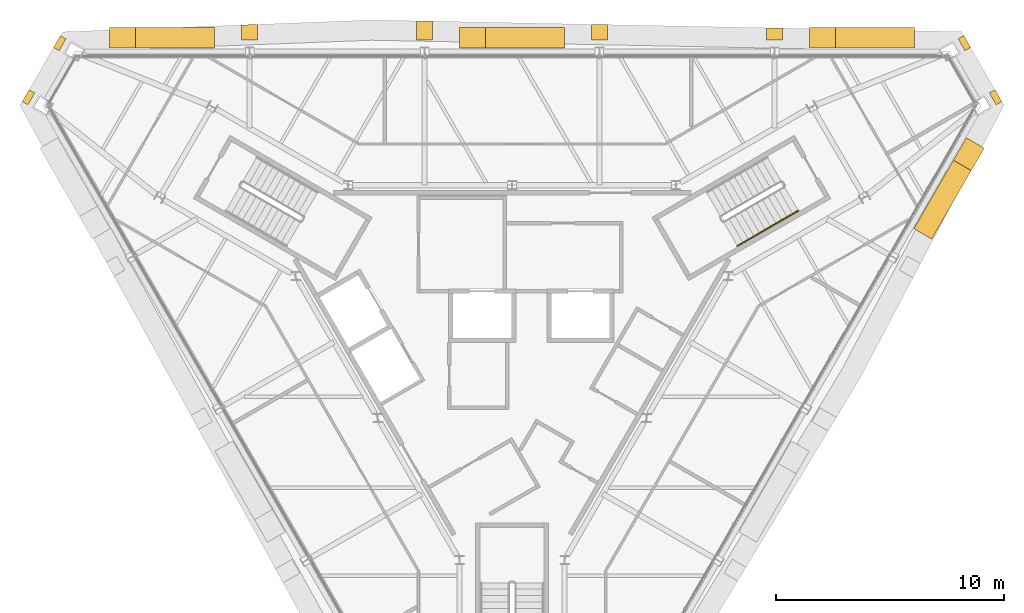
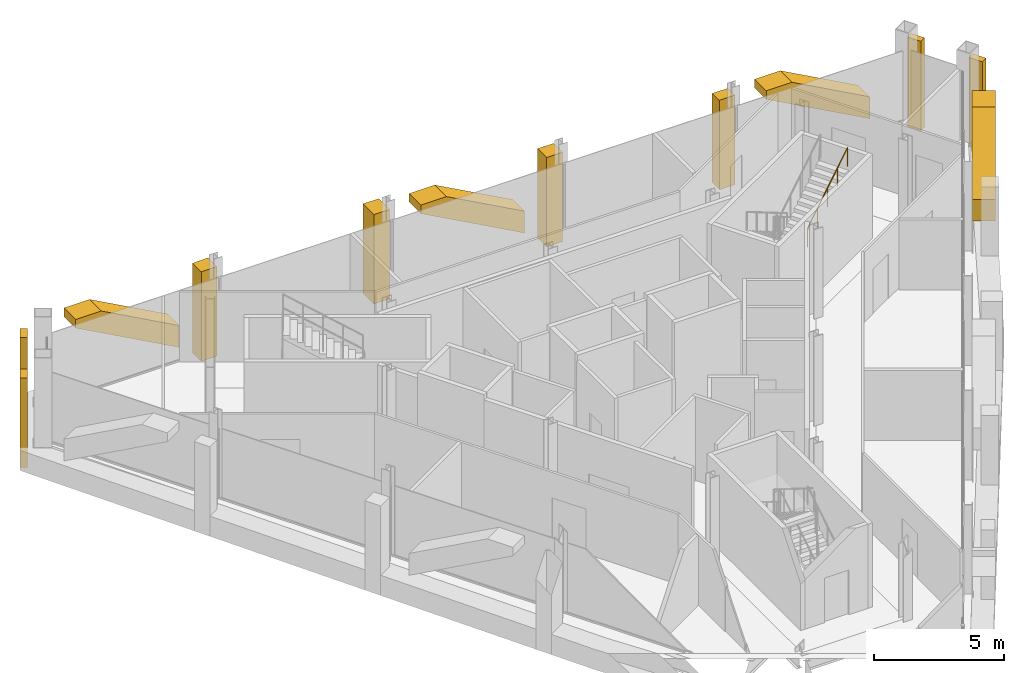
# One storey, part 13 of 13: 12 coverings, 1 railing.
"""IFC4 building model written with IfcOpenShell, lengths in metres."""

import ifcopenshell
import ifcopenshell.guid

model = None  # the IFC model being written
_history = None  # IfcOwnerHistory: only IFC2X3 demands one
_inside = {}  # id of a spatial element -> (the spatial element, [elements in it])
_under = {}  # id of a project, library or spatial element -> (it, [spatial elements below it])
_declared = {}  # id of a project -> (the project, [libraries it declares])
_typed = {}  # id of a type object -> (the type object, [elements of that type])
_made_of = {}  # id of a material, layer set ... -> (it, [elements and type objects made of it])


def new_model(schema):
    """Start an empty IFC model of exactly this schema.

    Asked for "IFC4X3", IfcOpenShell would pick the latest addendum, in which some entities
    have other attributes; the version numbers below select the first issue.
    IFC2X3 requires an IfcOwnerHistory on every rooted entity: one is made here for all.
    """
    global model, _history
    if schema == "IFC4X3":
        model = ifcopenshell.file(schema_version=(4, 3, 0, 0))
    else:
        model = ifcopenshell.file(schema=schema)
    _inside.clear()
    _under.clear()
    _declared.clear()
    _typed.clear()
    _made_of.clear()
    _history = None
    if model.schema == "IFC2X3":
        org = make("IfcOrganization", Name="unknown")
        user = make(
            "IfcPersonAndOrganization",
            ThePerson=make("IfcPerson", FamilyName="unknown"),
            TheOrganization=org,
        )
        app = make(
            "IfcApplication",
            ApplicationDeveloper=org,
            Version="unknown",
            ApplicationFullName="unknown",
            ApplicationIdentifier="unknown",
        )
        _history = make(
            "IfcOwnerHistory",
            OwningUser=user,
            OwningApplication=app,
            ChangeAction="ADDED",
            CreationDate=0,
        )
    return model


def make(cls, **values):
    """One entity of the class cls with the attributes given. An attribute that is None is left unset."""
    return model.create_entity(
        cls, **{name: value for name, value in values.items() if value is not None}
    )


def rooted(cls, **values):
    """An entity with a GlobalId (a new one), such as an element, a storey or a relation."""
    return make(cls, GlobalId=ifcopenshell.guid.new(), OwnerHistory=_history, **values)


def si_unit(unit_type, name, prefix=None):
    """IfcSIUnit, for example si_unit("LENGTHUNIT", "METRE", prefix="MILLI")."""
    return make("IfcSIUnit", UnitType=unit_type, Prefix=prefix, Name=name)


def assignment(units):
    """IfcUnitAssignment: the units of a project."""
    return None if units is None else make("IfcUnitAssignment", Units=units)


def point(xyz):
    """IfcCartesianPoint."""
    return None if xyz is None else make("IfcCartesianPoint", Coordinates=xyz)


def direction(xyz):
    """IfcDirection."""
    return None if xyz is None else make("IfcDirection", DirectionRatios=xyz)


def frame(location, z_axis=None, x_axis=None):
    """IfcAxis2Placement3D, a coordinate frame: its origin and axes. An axis left out is left unset."""
    return make(
        "IfcAxis2Placement3D",
        Location=point(location),
        Axis=direction(z_axis),
        RefDirection=direction(x_axis),
    )


def frame_2d(location, x_axis=None):
    """IfcAxis2Placement2D, a coordinate frame in the plane: its origin and x axis."""
    return make(
        "IfcAxis2Placement2D", Location=point(location), RefDirection=direction(x_axis)
    )


def origin():
    """The frame at (0, 0, 0) with its axes left unset."""
    return frame((0.0, 0.0, 0.0))


def origin_2d():
    """The frame at (0, 0) in the plane with its x axis left unset."""
    return frame_2d((0.0, 0.0))


def place(relative_to, where):
    """IfcLocalPlacement: puts the frame where relative to a parent placement (None: the world)."""
    return make(
        "IfcLocalPlacement", PlacementRelTo=relative_to, RelativePlacement=where
    )


def context(
    kind, dimensions, precision=None, world=None, true_north=None, identifier=None
):
    """IfcGeometricRepresentationContext, for example the 3D "Model" context."""
    return make(
        "IfcGeometricRepresentationContext",
        ContextIdentifier=identifier,
        ContextType=kind,
        CoordinateSpaceDimension=dimensions,
        Precision=precision,
        WorldCoordinateSystem=world,
        TrueNorth=true_north,
    )


def subcontext(parent, identifier, kind, view, scale=None):
    """IfcGeometricRepresentationSubContext, for example "Body" below "Model"."""
    return make(
        "IfcGeometricRepresentationSubContext",
        ContextIdentifier=identifier,
        ContextType=kind,
        ParentContext=parent,
        TargetScale=scale,
        TargetView=view,
    )


def project(units=None, contexts=None):
    """IfcProject with its units and contexts."""
    return rooted(
        "IfcProject",
        Name="project",
        RepresentationContexts=contexts,
        UnitsInContext=assignment(units),
    )


def spatial(cls, under=None, at=None, **own):
    """A site, building, storey or space (cls), placed at a placement, below another one or the project."""
    s = rooted(cls, ObjectPlacement=at, **own)
    if under is not None:
        _under.setdefault(under.id(), (under, []))[1].append(s)
    return s


def polyline(points):
    """IfcPolyline through the points."""
    return make("IfcPolyline", Points=[point(p) for p in points])


def profile(cls, at=None, kind="AREA", **sizes):
    """A parametric profile (cls). Its sizes go by their IFC names, for example OverallWidth=200.0."""
    return make(cls, ProfileType=kind, Position=at, **sizes)


def circle(**sizes):
    """IfcCircleProfileDef."""
    return profile("IfcCircleProfileDef", **sizes)


def outline(outer, holes=None, kind="AREA"):
    """IfcArbitraryClosedProfileDef: a profile drawn as a closed curve; with holes, ...WithVoids."""
    if holes is None:
        return make("IfcArbitraryClosedProfileDef", ProfileType=kind, OuterCurve=outer)
    return make(
        "IfcArbitraryProfileDefWithVoids",
        ProfileType=kind,
        OuterCurve=outer,
        InnerCurves=holes,
    )


def extrude(swept, where, along, depth):
    """IfcExtrudedAreaSolid: the profile swept, set in the frame where, extruded along a direction by depth."""
    return make(
        "IfcExtrudedAreaSolid",
        SweptArea=swept,
        Position=where,
        ExtrudedDirection=direction(along),
        Depth=depth,
    )


def shape(context_of_items, identifier, shape_type, items):
    """IfcShapeRepresentation: the items that make up one representation, for example the "Body"."""
    return make(
        "IfcShapeRepresentation",
        ContextOfItems=context_of_items,
        RepresentationIdentifier=identifier,
        RepresentationType=shape_type,
        Items=items,
    )


def material(Name=None, Category=None):
    """IfcMaterial."""
    return make("IfcMaterial", Name=Name, Category=Category)


def layer(
    of_material, thickness, ventilated=None, Name=None, Category=None, Priority=None
):
    """IfcMaterialLayer: one layer of a wall or slab, of a material (None: an air gap)."""
    return make(
        "IfcMaterialLayer",
        Material=of_material,
        LayerThickness=thickness,
        IsVentilated=ventilated,
        Name=Name,
        Category=Category,
        Priority=Priority,
    )


def layer_set(layers, Name=None):
    """IfcMaterialLayerSet."""
    return make("IfcMaterialLayerSet", MaterialLayers=layers, LayerSetName=Name)


def made_of(thing, what):
    """Note that an element or type object is made of a material, layer set ...; save() writes the relation."""
    if what is not None:
        _made_of.setdefault(what.id(), (what, []))[1].append(thing)
    return thing


def type_object(cls, material=None, **own):
    """A type object (cls), such as IfcWallType, which elements share."""
    return made_of(rooted(cls, **own), material)


def element(
    cls,
    number,
    at=None,
    inside=None,
    cuts=None,
    type_object=None,
    material=None,
    context=None,
    identifier="Body",
    shape_type=None,
    held_by="IfcProductDefinitionShape",
    body=None,
    shapes=None,
    **own,
):
    """One element of the class cls, such as IfcWall. Its Tag is "e" and its number.

    at: its placement. inside: the storey or other place that contains it. cuts: it is an
    opening in that element (IfcRelVoidsElement). A single representation is given by context,
    identifier, shape_type and body (its items); several are given by shapes. held_by: the class
    of the entity that holds the representations. save() writes the other relations.
    """
    e = rooted(cls, Tag="e%d" % number, ObjectPlacement=at, **own)
    if body is not None:
        shapes = [shape(context, identifier, shape_type, body)]
    if shapes is not None:
        e.Representation = make(held_by, Representations=shapes)
    if inside is not None:
        _inside.setdefault(inside.id(), (inside, []))[1].append(e)
    if cuts is not None:
        rooted(
            "IfcRelVoidsElement", RelatingBuildingElement=cuts, RelatedOpeningElement=e
        )
    if type_object is not None:
        _typed.setdefault(type_object.id(), (type_object, []))[1].append(e)
    return made_of(e, material)


def aggregate(whole, parts):
    """IfcRelAggregates: a whole, such as a stair, and the parts it consists of."""
    return rooted("IfcRelAggregates", RelatingObject=whole, RelatedObjects=parts)


def save(model, path):
    """Write the relations noted so far, then the file.

    IfcRelAggregates (storeys below a building ...), IfcRelContainedInSpatialStructure (elements
    in a storey), IfcRelDefinesByType, IfcRelAssociatesMaterial and IfcRelDeclares: one each for
    every whole, place, type object, material and project.
    """
    for whole, parts in _under.values():
        aggregate(whole, parts)
    for where, things in _inside.values():
        rooted(
            "IfcRelContainedInSpatialStructure",
            RelatedElements=things,
            RelatingStructure=where,
        )
    for kind, things in _typed.values():
        rooted("IfcRelDefinesByType", RelatedObjects=things, RelatingType=kind)
    for what, things in _made_of.values():
        rooted("IfcRelAssociatesMaterial", RelatedObjects=things, RelatingMaterial=what)
    for by, libraries in _declared.values():
        rooted("IfcRelDeclares", RelatingContext=by, RelatedDefinitions=libraries)
    model.write(path)


model = new_model("IFC4")

# Units and contexts
model_context = context("Model", 3, precision=1e-05, world=origin(), true_north=direction((0.0, 1.0)))
body_context = subcontext(model_context, "Body", "Model", "MODEL_VIEW")
ifc_project = project(units=[si_unit("LENGTHUNIT", "METRE"), si_unit("AREAUNIT", "SQUARE_METRE"), si_unit("VOLUMEUNIT", "CUBIC_METRE"), si_unit("PLANEANGLEUNIT", "RADIAN"), si_unit("MASSUNIT", "GRAM", prefix="KILO")], contexts=[model_context])

# Site, building, storey
site_placement = place(None, origin())
site = spatial("IfcSite", under=ifc_project, at=site_placement, CompositionType="ELEMENT")
building_placement = place(site_placement, origin())
building = spatial("IfcBuilding", under=site, at=building_placement, Name="Verrane Prism Tower", CompositionType="ELEMENT")
storey_placement = place(building_placement, frame((0.0, 0.0, 316.800048828125)))
storey = spatial("IfcBuildingStorey", under=building, at=storey_placement, Name="L80", CompositionType="ELEMENT", Elevation=316.800048828125)

# Railing
ifc_material_1 = material(Name="Steel A36 tube", Category="steel")
railing_type = type_object("IfcRailingType", Name="Stair handrail 900 steel tube", PredefinedType="HANDRAIL", material=ifc_material_1)
railing_placement = place(storey_placement, frame((9.872314453125, 4.140869140625, 2.27490234375)))
element("IfcRailing", 1, at=railing_placement, inside=storey, type_object=railing_type, Name="Stair 1 handrail", PredefinedType="HANDRAIL", context=body_context, shape_type="SweptSolid", body=[
    extrude(circle(Radius=0.02392578125, at=origin_2d()), frame((0.0, 0.0, 0.8759765625), z_axis=(0.734364028329, 0.424015404183, 0.530019255228), x_axis=(-0.500026652407, 0.866010015463, 0.0)), (0.0, 0.0, 1.0), 3.632080078125),
    extrude(circle(Radius=0.02099609375, at=origin_2d()), origin(), (0.0, 0.0, 1.0), 0.851806640625),
    extrude(circle(Radius=0.02099609375, at=origin_2d()), frame((0.666748046875, 0.385009765625, 0.481201171875)), (0.0, 0.0, 1.0), 0.851806640625),
    extrude(circle(Radius=0.02099609375, at=origin_2d()), frame((1.33349609375, 0.77001953125, 0.96240234375)), (0.0, 0.0, 1.0), 0.851806640625),
    extrude(circle(Radius=0.02099609375, at=origin_2d()), frame((2.00048828125, 1.155029296875, 1.44384765625)), (0.0, 0.0, 1.0), 0.851806640625),
    extrude(circle(Radius=0.02099609375, at=origin_2d()), frame((2.667236328125, 1.5400390625, 1.925048828125)), (0.0, 0.0, 1.0), 0.851806640625),
])

# Coverings
ifc_material_2 = material(Name="Warm limestone cladding", Category="masonry")
ifc_layer = layer(ifc_material_2, 0.89990234375)
ifc_layer_set = layer_set([ifc_layer], Name="Stone brace fin 900")
covering_type_1 = type_object("IfcCoveringType", Name="Stone brace fin 900", PredefinedType="CLADDING", material=ifc_layer_set)
for number, where, z_axis, x_axis, name in (
    (2, (17.638671875, 13.25, 0.326904296875), (0.0, 0.0, 1.0), (-1.0, 0.0, 0.0), "Stone brace fin N1 L80"),
    (3, (2.30078125, 13.25, 0.326904296875), (0.0, 0.0, 1.0), (-1.0, 0.0, 0.0), "Stone brace fin N3 L80"),
    (4, (-13.037109375, 13.25, 0.326904296875), (0.0, 0.0, 1.0), (-1.0, 0.0, 0.0), "Stone brace fin N5 L80"),
    (5, (17.993408203125, 4.66552734375, 0.326904296875), (0.0, 0.0, 1.0), (0.5000194552, 0.866014171028, 0.0), "Stone brace fin SE5 L80"),
):
    element("IfcCovering", number, at=place(storey_placement, frame(where, z_axis=z_axis, x_axis=x_axis)), inside=storey, type_object=covering_type_1, Name=name, PredefinedType="CLADDING", context=body_context, shape_type="SweptSolid", body=[
        extrude(outline(polyline([(4.601318359375, 2.923095703125), (3.463623046875, 2.923095703125), (0.0, 1.026123046875), (0.0, 0.0), (4.601318359375, 2.52001953125), (4.601318359375, 2.923095703125)])), frame((0.0, 0.449951171875, 0.0), z_axis=(0.0, -1.0, 0.0), x_axis=(1.0, 0.0, 0.0)), (0.0, 0.0, 1.0), 0.89990234375),
    ])
ifc_material_3 = material(Name="Warm limestone cladding", Category="masonry")
covering_type_2 = type_object("IfcCoveringType", Name="Stone corner pier 600", PredefinedType="CLADDING", material=ifc_material_3)
covering_1_placement = place(storey_placement, frame((0.0, 0.0, -0.949951171875)))
element("IfcCovering", 6, at=covering_1_placement, inside=storey, type_object=covering_type_2, Name="Stone pier MC-NE.a L80", PredefinedType="CLADDING", context=body_context, shape_type="SweptSolid", body=[
    extrude(outline(polyline([(20.910888671875, 10.838623046875), (21.06103515625, 10.578857421875), (21.2109375, 10.319091796875), (21.457763671875, 10.46142578125), (21.15771484375, 10.98095703125), (20.910888671875, 10.838623046875)])), origin(), (0.0, 0.0, 1.0), 4.199951171875),
])
covering_2_placement = place(storey_placement, frame((0.0, 0.0, -0.949951171875)))
element("IfcCovering", 7, at=covering_2_placement, inside=storey, type_object=covering_type_2, Name="Stone pier MC-NE.b L80", PredefinedType="CLADDING", context=body_context, shape_type="SweptSolid", body=[
    extrude(outline(polyline([(19.5419921875, 13.209716796875), (19.5576171875, 13.182861328125), (19.842041015625, 12.690185546875), (20.088623046875, 12.83251953125), (19.788818359375, 13.352294921875), (19.5419921875, 13.209716796875)])), origin(), (0.0, 0.0, 1.0), 4.199951171875),
])
covering_3_placement = place(storey_placement, frame((0.0, 0.0, -0.949951171875)))
element("IfcCovering", 8, at=covering_3_placement, inside=storey, type_object=covering_type_2, Name="Stone pier MC-NW.a L80", PredefinedType="CLADDING", context=body_context, shape_type="SweptSolid", body=[
    extrude(outline(polyline([(-19.842041015625, 12.690185546875), (-19.5419921875, 13.209716796875), (-19.788818359375, 13.352294921875), (-20.088623046875, 12.83251953125), (-19.842041015625, 12.690185546875)])), origin(), (0.0, 0.0, 1.0), 4.199951171875),
])
covering_4_placement = place(storey_placement, frame((0.0, 0.0, -0.949951171875)))
element("IfcCovering", 9, at=covering_4_placement, inside=storey, type_object=covering_type_2, Name="Stone pier MC-NW.b L80", PredefinedType="CLADDING", context=body_context, shape_type="SweptSolid", body=[
    extrude(outline(polyline([(-21.2109375, 10.319091796875), (-20.910888671875, 10.838623046875), (-21.15771484375, 10.98095703125), (-21.457763671875, 10.46142578125), (-21.2109375, 10.319091796875)])), origin(), (0.0, 0.0, 1.0), 4.199951171875),
])
ifc_material_4 = material(Name="Warm limestone cladding", Category="masonry")
covering_type_3 = type_object("IfcCoveringType", Name="Stone pier 700", PredefinedType="CLADDING", material=ifc_material_4)
covering_5_placement = place(storey_placement, frame((0.0, 0.0, -0.949951171875)))
element("IfcCovering", 10, at=covering_5_placement, inside=storey, type_object=covering_type_3, Name="Stone pier PC-N1 L80", PredefinedType="CLADDING", context=body_context, shape_type="SweptSolid", body=[
    extrude(outline(polyline([(11.1533203125, 13.14990234375), (11.853515625, 13.14990234375), (11.853515625, 13.6796875), (11.1533203125, 13.693359375), (11.1533203125, 13.14990234375)])), origin(), (0.0, 0.0, 1.0), 4.199951171875),
])
covering_6_placement = place(storey_placement, frame((0.0, 0.0, -0.949951171875)))
element("IfcCovering", 11, at=covering_6_placement, inside=storey, type_object=covering_type_3, Name="Stone pier PC-N2 L80", PredefinedType="CLADDING", context=body_context, shape_type="SweptSolid", body=[
    extrude(outline(polyline([(3.484619140625, 13.14990234375), (4.1845703125, 13.14990234375), (4.1845703125, 13.8310546875), (3.484619140625, 13.844970703125), (3.484619140625, 13.14990234375)])), origin(), (0.0, 0.0, 1.0), 4.199951171875),
])
covering_7_placement = place(storey_placement, frame((0.0, 0.0, -0.949951171875)))
element("IfcCovering", 12, at=covering_7_placement, inside=storey, type_object=covering_type_3, Name="Stone pier PC-N3 L80", PredefinedType="CLADDING", context=body_context, shape_type="SweptSolid", body=[
    extrude(outline(polyline([(-4.1845703125, 13.14990234375), (-3.484619140625, 13.14990234375), (-3.484619140625, 13.982666015625), (-4.1845703125, 13.996337890625), (-4.1845703125, 13.14990234375)])), origin(), (0.0, 0.0, 1.0), 4.199951171875),
])
covering_8_placement = place(storey_placement, frame((0.0, 0.0, -0.949951171875)))
element("IfcCovering", 13, at=covering_8_placement, inside=storey, type_object=covering_type_3, Name="Stone pier PC-N4 L80", PredefinedType="CLADDING", context=body_context, shape_type="SweptSolid", body=[
    extrude(outline(polyline([(-11.853515625, 13.14990234375), (-11.1533203125, 13.14990234375), (-11.1533203125, 13.843017578125), (-11.853515625, 13.816162109375), (-11.853515625, 13.14990234375)])), origin(), (0.0, 0.0, 1.0), 4.199951171875),
])

save(model, "model.ifc")
